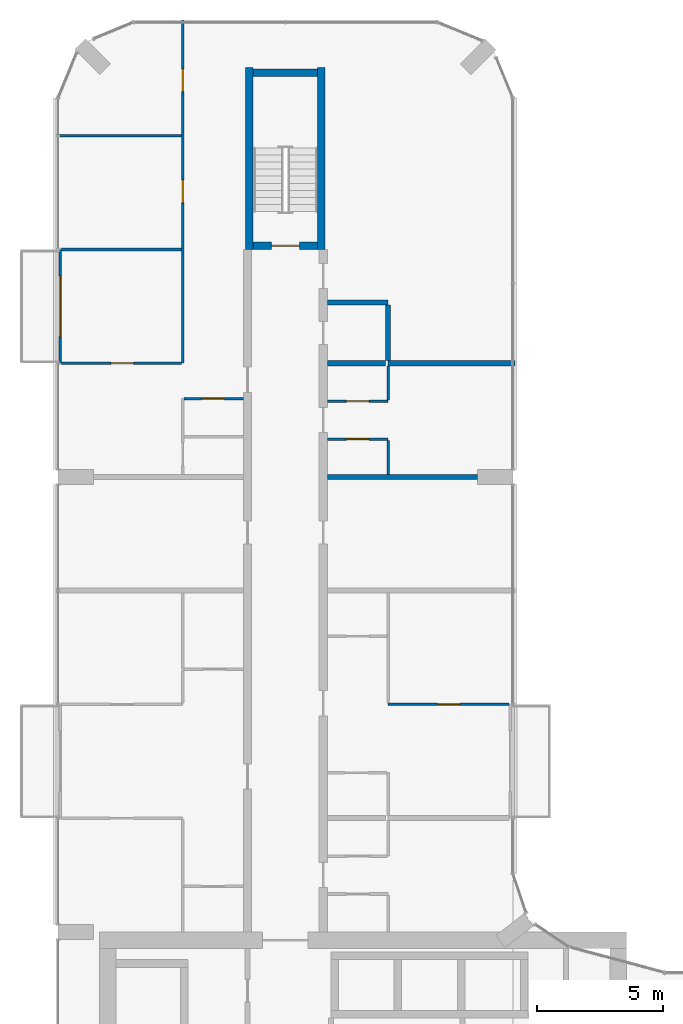
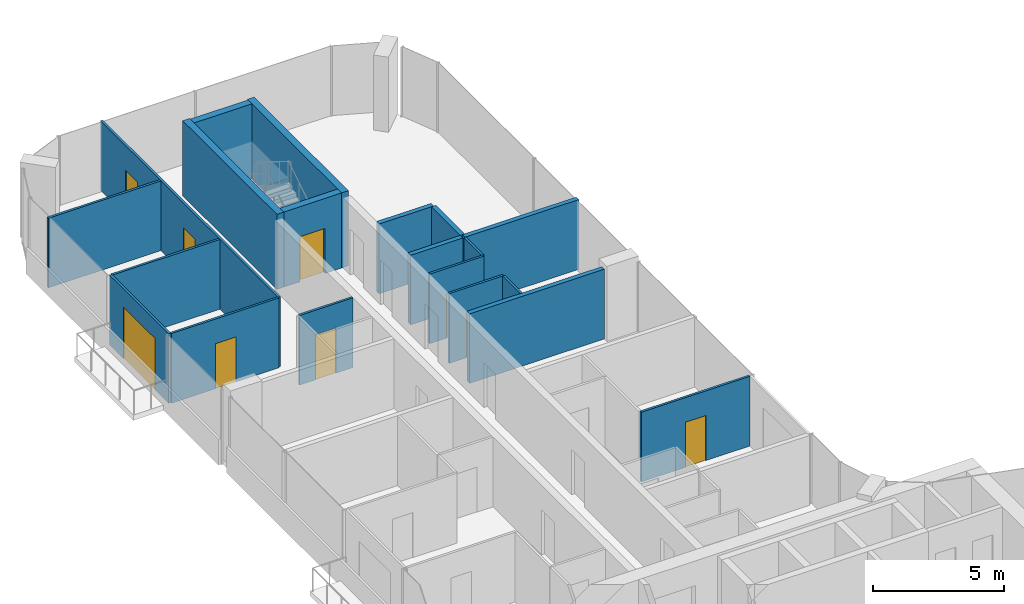
# One storey, part 16 of 22: 20 walls, 9 doors, 9 openings.
"""IFC4 building model written with IfcOpenShell, lengths in metres."""

from ifc_helpers import new_model, si_unit, direction, frame, frame_2d, origin, place, context, subcontext, project, spatial, rectangle, extrude, material, layer, layer_set, type_object, element, fill, save


model = new_model("IFC4")

# Units and contexts
model_context = context("Model", 3, precision=1e-05, world=origin(), true_north=direction((0.0, 1.0)))
body_context = subcontext(model_context, "Body", "Model", "MODEL_VIEW")
ifc_project = project(units=[si_unit("LENGTHUNIT", "METRE"), si_unit("AREAUNIT", "SQUARE_METRE"), si_unit("VOLUMEUNIT", "CUBIC_METRE"), si_unit("PLANEANGLEUNIT", "RADIAN"), si_unit("MASSUNIT", "GRAM", prefix="KILO")], contexts=[model_context])

# Site, building, storey
site_placement = place(None, origin())
site = spatial("IfcSite", under=ifc_project, at=site_placement, CompositionType="ELEMENT")
building_placement = place(site_placement, origin())
building = spatial("IfcBuilding", under=site, at=building_placement, Name="Plateau Cross Towers", CompositionType="ELEMENT")
storey_placement = place(building_placement, frame((0.0, 0.0, 113.300048828125)))
storey = spatial("IfcBuildingStorey", under=building, at=storey_placement, Name="L29", CompositionType="ELEMENT", Elevation=113.300048828125)

# Wall, opening, door
ifc_material_1 = material(Name="Aluminium framed glazing", Category="aluminium")
ifc_layer_1 = layer(ifc_material_1, 0.10009765625)
ifc_layer_set_1 = layer_set([ifc_layer_1], Name="Aluminium framed glazing")
wall_type_1 = type_object("IfcWallType", Name="Balcony screen wall 100", PredefinedType="STANDARD", material=ifc_layer_set_1)
wall_1_placement = place(storey_placement, frame((0.10009765625, 40.5, 0.0), z_axis=(0.0, 0.0, 1.0), x_axis=(0.0, 1.0, 0.0)))
wall_1 = element("IfcWall", 1, at=wall_1_placement, inside=storey, type_object=wall_type_1, Name="Balcony screen wall A-BAL-L29-02", PredefinedType="STANDARD", context=body_context, shape_type="SweptSolid", body=[
    extrude(rectangle(XDim=4.5, YDim=0.10009765625, at=frame_2d((2.25, 0.0))), origin(), (0.0, 0.0, 1.0), 3.25),
])
opening_1_placement = place(wall_1_placement, frame((1.050048828125, 0.0, 0.0)))
opening_1 = element("IfcOpeningElement", 2, at=opening_1_placement, cuts=wall_1, Name="Opening D-B24", PredefinedType="OPENING", context=body_context, shape_type="SweptSolid", body=[
    extrude(rectangle(XDim=2.39990234375, YDim=2.39990234375, at=frame_2d((1.199951171875, 1.199951171875))), frame((0.0, 0.06005859375, 0.0), z_axis=(0.0, -1.0, 0.0), x_axis=(1.0, 0.0, 0.0)), (0.0, 0.0, 1.0), 0.1201171875),
])
ifc_material_2 = material(Name="Aluminium frame, double glazing", Category="aluminium")
door_type_1 = type_object("IfcDoorType", Name="Balcony sliding door 2400", OperationType="NOTDEFINED", PredefinedType="DOOR", material=ifc_material_2)
door_1_placement = place(opening_1_placement, origin())
door_1 = element("IfcDoor", 3, at=door_1_placement, inside=storey, type_object=door_type_1, Name="Balcony door A-BAL-L29-02", OperationType="SINGLE_SWING_LEFT", OverallHeight=2.39990234375, OverallWidth=2.39990234375, PredefinedType="DOOR", context=body_context, shape_type="SweptSolid", body=[
    extrude(rectangle(XDim=2.39990234375, YDim=2.39990234375, at=frame_2d((1.199951171875, 1.199951171875))), frame((0.0, 0.02490234375, 0.0), z_axis=(0.0, -1.0, 0.0), x_axis=(1.0, 0.0, 0.0)), (0.0, 0.0, 1.0), 0.050048828125),
])
fill(opening_1, door_1)

ifc_material_3 = material(Name="Gypsum board on steel studs", Category="steel")
ifc_layer_2 = layer(ifc_material_3, 0.10009765625)
ifc_layer_set_2 = layer_set([ifc_layer_2], Name="Gypsum board on steel studs")
wall_type_2 = type_object("IfcWallType", Name="Flat partition 100", PredefinedType="PARTITIONING", material=ifc_layer_set_2)
wall_2_placement = place(storey_placement, frame((13.0625, 27.0, 0.0), z_axis=(0.0, 0.0, 1.0), x_axis=(1.0, 0.0, 0.0)))
wall_2 = element("IfcWall", 4, at=wall_2_placement, inside=storey, type_object=wall_type_2, Name="Partition wall", PredefinedType="PARTITIONING", context=body_context, shape_type="SweptSolid", body=[
    extrude(rectangle(XDim=4.78759765625, YDim=0.10009765625, at=frame_2d((2.393798828125, 0.0))), origin(), (0.0, 0.0, 1.0), 3.25),
])
opening_2_placement = place(wall_2_placement, frame((1.949951171875, 0.0, 0.0)))
opening_2 = element("IfcOpeningElement", 5, at=opening_2_placement, cuts=wall_2, Name="Opening 29-41", PredefinedType="OPENING", context=body_context, shape_type="SweptSolid", body=[
    extrude(rectangle(XDim=0.89990234375, YDim=2.10009765625, at=frame_2d((0.449951171875, 1.050048828125))), frame((0.0, 0.06005859375, 0.0), z_axis=(0.0, -1.0, 0.0), x_axis=(1.0, 0.0, 0.0)), (0.0, 0.0, 1.0), 0.1201171875),
])
ifc_material_4 = material(Name="Timber leaf", Category="wood")
door_type_2 = type_object("IfcDoorType", Name="Flat room door 900", OperationType="NOTDEFINED", PredefinedType="DOOR", material=ifc_material_4)
door_2_placement = place(opening_2_placement, origin())
door_2 = element("IfcDoor", 6, at=door_2_placement, inside=storey, type_object=door_type_2, Name="Door 29-41", OperationType="SINGLE_SWING_RIGHT", OverallHeight=2.10009765625, OverallWidth=0.89990234375, PredefinedType="DOOR", context=body_context, shape_type="SweptSolid", body=[
    extrude(rectangle(XDim=0.89990234375, YDim=2.10009765625, at=frame_2d((0.449951171875, 1.050048828125))), frame((0.0, 0.02490234375, 0.0), z_axis=(0.0, -1.0, 0.0), x_axis=(1.0, 0.0, 0.0)), (0.0, 0.0, 1.0), 0.050048828125),
])
fill(opening_2, door_2)

wall_3_placement = place(storey_placement, frame((13.0625, 37.5, 0.0), z_axis=(0.0, 0.0, 1.0), x_axis=(-1.0, 0.0, 0.0)))
wall_3 = element("IfcWall", 7, at=wall_3_placement, inside=storey, type_object=wall_type_2, Name="Partition wall", PredefinedType="PARTITIONING", context=body_context, shape_type="SweptSolid", body=[
    extrude(rectangle(XDim=2.39990234375, YDim=0.10009765625, at=frame_2d((1.199951171875, 0.0))), origin(), (0.0, 0.0, 1.0), 3.25),
])
opening_3_placement = place(wall_3_placement, frame((0.75, 0.0, 0.0)))
opening_3 = element("IfcOpeningElement", 8, at=opening_3_placement, cuts=wall_3, Name="Opening 29-42", PredefinedType="OPENING", context=body_context, shape_type="SweptSolid", body=[
    extrude(rectangle(XDim=0.89990234375, YDim=2.10009765625, at=frame_2d((0.449951171875, 1.050048828125))), frame((0.0, 0.06005859375, 0.0), z_axis=(0.0, -1.0, 0.0), x_axis=(1.0, 0.0, 0.0)), (0.0, 0.0, 1.0), 0.1201171875),
])
door_3_placement = place(opening_3_placement, origin())
door_3 = element("IfcDoor", 9, at=door_3_placement, inside=storey, type_object=door_type_2, Name="Door 29-42", OperationType="SINGLE_SWING_LEFT", OverallHeight=2.10009765625, OverallWidth=0.89990234375, PredefinedType="DOOR", context=body_context, shape_type="SweptSolid", body=[
    extrude(rectangle(XDim=0.89990234375, YDim=2.10009765625, at=frame_2d((0.449951171875, 1.050048828125))), frame((0.0, 0.02490234375, 0.0), z_axis=(0.0, -1.0, 0.0), x_axis=(1.0, 0.0, 0.0)), (0.0, 0.0, 1.0), 0.050048828125),
])
fill(opening_3, door_3)

wall_4_placement = place(storey_placement, frame((10.66259765625, 39.0, 0.0), z_axis=(0.0, 0.0, 1.0), x_axis=(1.0, 0.0, 0.0)))
wall_4 = element("IfcWall", 10, at=wall_4_placement, inside=storey, type_object=wall_type_2, Name="Partition wall", PredefinedType="PARTITIONING", context=body_context, shape_type="SweptSolid", body=[
    extrude(rectangle(XDim=2.39990234375, YDim=0.10009765625, at=frame_2d((1.199951171875, 0.0))), origin(), (0.0, 0.0, 1.0), 3.25),
])
opening_4_placement = place(wall_4_placement, frame((0.75, 0.0, 0.0)))
opening_4 = element("IfcOpeningElement", 11, at=opening_4_placement, cuts=wall_4, Name="Opening 29-43", PredefinedType="OPENING", context=body_context, shape_type="SweptSolid", body=[
    extrude(rectangle(XDim=0.89990234375, YDim=2.10009765625, at=frame_2d((0.449951171875, 1.050048828125))), frame((0.0, 0.06005859375, 0.0), z_axis=(0.0, -1.0, 0.0), x_axis=(1.0, 0.0, 0.0)), (0.0, 0.0, 1.0), 0.1201171875),
])
door_4_placement = place(opening_4_placement, origin())
door_4 = element("IfcDoor", 12, at=door_4_placement, inside=storey, type_object=door_type_2, Name="Door 29-43", OperationType="SINGLE_SWING_LEFT", OverallHeight=2.10009765625, OverallWidth=0.89990234375, PredefinedType="DOOR", context=body_context, shape_type="SweptSolid", body=[
    extrude(rectangle(XDim=0.89990234375, YDim=2.10009765625, at=frame_2d((0.449951171875, 1.050048828125))), frame((0.0, 0.02490234375, 0.0), z_axis=(0.0, -1.0, 0.0), x_axis=(1.0, 0.0, 0.0)), (0.0, 0.0, 1.0), 0.050048828125),
])
fill(opening_4, door_4)

wall_5_placement = place(storey_placement, frame((7.33740234375, 39.10009765625, 0.0), z_axis=(0.0, 0.0, 1.0), x_axis=(-1.0, 0.0, 0.0)))
wall_5 = element("IfcWall", 13, at=wall_5_placement, inside=storey, type_object=wall_type_2, Name="Partition wall", PredefinedType="PARTITIONING", context=body_context, shape_type="SweptSolid", body=[
    extrude(rectangle(XDim=2.349853515625, YDim=0.10009765625, at=frame_2d((1.1748046875, 0.0))), origin(), (0.0, 0.0, 1.0), 3.25),
])
opening_5_placement = place(wall_5_placement, frame((0.75, 0.0, 0.0)))
opening_5 = element("IfcOpeningElement", 14, at=opening_5_placement, cuts=wall_5, Name="Opening 29-33", PredefinedType="OPENING", context=body_context, shape_type="SweptSolid", body=[
    extrude(rectangle(XDim=0.89990234375, YDim=2.10009765625, at=frame_2d((0.449951171875, 1.050048828125))), frame((0.0, 0.06005859375, 0.0), z_axis=(0.0, -1.0, 0.0), x_axis=(1.0, 0.0, 0.0)), (0.0, 0.0, 1.0), 0.1201171875),
])
door_5_placement = place(opening_5_placement, origin())
door_5 = element("IfcDoor", 15, at=door_5_placement, inside=storey, type_object=door_type_2, Name="Door 29-33", OperationType="SINGLE_SWING_RIGHT", OverallHeight=2.10009765625, OverallWidth=0.89990234375, PredefinedType="DOOR", context=body_context, shape_type="SweptSolid", body=[
    extrude(rectangle(XDim=0.89990234375, YDim=2.10009765625, at=frame_2d((0.449951171875, 1.050048828125))), frame((0.0, 0.02490234375, 0.0), z_axis=(0.0, -1.0, 0.0), x_axis=(1.0, 0.0, 0.0)), (0.0, 0.0, 1.0), 0.050048828125),
])
fill(opening_5, door_5)

wall_6_placement = place(storey_placement, frame((0.14990234375, 40.5, 0.0), z_axis=(0.0, 0.0, 1.0), x_axis=(1.0, 0.0, 0.0)))
wall_6 = element("IfcWall", 16, at=wall_6_placement, inside=storey, type_object=wall_type_2, Name="Partition wall", PredefinedType="PARTITIONING", context=body_context, shape_type="SweptSolid", body=[
    extrude(rectangle(XDim=4.737548828125, YDim=0.10009765625, at=frame_2d((2.36865234375, 0.0))), origin(), (0.0, 0.0, 1.0), 3.25),
])
opening_6_placement = place(wall_6_placement, frame((1.949951171875, 0.0, 0.0)))
opening_6 = element("IfcOpeningElement", 17, at=opening_6_placement, cuts=wall_6, Name="Opening 29-34", PredefinedType="OPENING", context=body_context, shape_type="SweptSolid", body=[
    extrude(rectangle(XDim=0.89990234375, YDim=2.10009765625, at=frame_2d((0.449951171875, 1.050048828125))), frame((0.0, 0.06005859375, 0.0), z_axis=(0.0, -1.0, 0.0), x_axis=(1.0, 0.0, 0.0)), (0.0, 0.0, 1.0), 0.1201171875),
])
door_6_placement = place(opening_6_placement, origin())
door_6 = element("IfcDoor", 18, at=door_6_placement, inside=storey, type_object=door_type_2, Name="Door 29-34", OperationType="SINGLE_SWING_RIGHT", OverallHeight=2.10009765625, OverallWidth=0.89990234375, PredefinedType="DOOR", context=body_context, shape_type="SweptSolid", body=[
    extrude(rectangle(XDim=0.89990234375, YDim=2.10009765625, at=frame_2d((0.449951171875, 1.050048828125))), frame((0.0, 0.02490234375, 0.0), z_axis=(0.0, -1.0, 0.0), x_axis=(1.0, 0.0, 0.0)), (0.0, 0.0, 1.0), 0.050048828125),
])
fill(opening_6, door_6)

# Walls
wall_7_placement = place(storey_placement, frame((4.887451171875, 45.0, 0.0), z_axis=(0.0, 0.0, 1.0), x_axis=(-1.0, 0.0, 0.0)))
element("IfcWall", 19, at=wall_7_placement, inside=storey, type_object=wall_type_2, Name="Partition wall", PredefinedType="PARTITIONING", context=body_context, shape_type="SweptSolid", body=[
    extrude(rectangle(XDim=4.737548828125, YDim=0.10009765625, at=frame_2d((2.36865234375, 0.0))), origin(), (0.0, 0.0, 1.0), 3.25),
])
wall_8_placement = place(storey_placement, frame((4.887451171875, 49.5, 0.0), z_axis=(0.0, 0.0, 1.0), x_axis=(-1.0, 0.0, 0.0)))
element("IfcWall", 20, at=wall_8_placement, inside=storey, type_object=wall_type_2, Name="Partition wall", PredefinedType="PARTITIONING", context=body_context, shape_type="SweptSolid", body=[
    extrude(rectangle(XDim=4.967529296875, YDim=0.10009765625, at=frame_2d((2.48388671875, 0.0))), origin(), (0.0, 0.0, 1.0), 3.25),
])

# Wall, openings, doors
wall_9_placement = place(storey_placement, frame((4.9375, 40.5, 0.0), z_axis=(0.0, 0.0, 1.0), x_axis=(0.0, 1.0, 0.0)))
wall_9 = element("IfcWall", 21, at=wall_9_placement, inside=storey, type_object=wall_type_2, Name="Partition wall", PredefinedType="PARTITIONING", context=body_context, shape_type="SweptSolid", body=[
    extrude(rectangle(XDim=13.580078125, YDim=0.10009765625, at=frame_2d((6.7900390625, 0.0))), origin(), (0.0, 0.0, 1.0), 3.25),
])
opening_7_placement = place(wall_9_placement, frame((6.35009765625, 0.0, 0.0)))
opening_7 = element("IfcOpeningElement", 22, at=opening_7_placement, cuts=wall_9, Name="Opening 29-35", PredefinedType="OPENING", context=body_context, shape_type="SweptSolid", body=[
    extrude(rectangle(XDim=0.89990234375, YDim=2.10009765625, at=frame_2d((0.449951171875, 1.050048828125))), frame((0.0, 0.06005859375, 0.0), z_axis=(0.0, -1.0, 0.0), x_axis=(1.0, 0.0, 0.0)), (0.0, 0.0, 1.0), 0.1201171875),
])
opening_8_placement = place(wall_9_placement, frame((10.75, 0.0, 0.0)))
opening_8 = element("IfcOpeningElement", 23, at=opening_8_placement, cuts=wall_9, Name="Opening 29-36", PredefinedType="OPENING", context=body_context, shape_type="SweptSolid", body=[
    extrude(rectangle(XDim=0.89990234375, YDim=2.10009765625, at=frame_2d((0.449951171875, 1.050048828125))), frame((0.0, 0.06005859375, 0.0), z_axis=(0.0, -1.0, 0.0), x_axis=(1.0, 0.0, 0.0)), (0.0, 0.0, 1.0), 0.1201171875),
])
door_7_placement = place(opening_7_placement, origin())
door_7 = element("IfcDoor", 24, at=door_7_placement, inside=storey, type_object=door_type_2, Name="Door 29-35", OperationType="SINGLE_SWING_RIGHT", OverallHeight=2.10009765625, OverallWidth=0.89990234375, PredefinedType="DOOR", context=body_context, shape_type="SweptSolid", body=[
    extrude(rectangle(XDim=0.89990234375, YDim=2.10009765625, at=frame_2d((0.449951171875, 1.050048828125))), frame((0.0, 0.02490234375, 0.0), z_axis=(0.0, -1.0, 0.0), x_axis=(1.0, 0.0, 0.0)), (0.0, 0.0, 1.0), 0.050048828125),
])
fill(opening_7, door_7)
door_8_placement = place(opening_8_placement, origin())
door_8 = element("IfcDoor", 25, at=door_8_placement, inside=storey, type_object=door_type_2, Name="Door 29-36", OperationType="SINGLE_SWING_RIGHT", OverallHeight=2.10009765625, OverallWidth=0.89990234375, PredefinedType="DOOR", context=body_context, shape_type="SweptSolid", body=[
    extrude(rectangle(XDim=0.89990234375, YDim=2.10009765625, at=frame_2d((0.449951171875, 1.050048828125))), frame((0.0, 0.02490234375, 0.0), z_axis=(0.0, -1.0, 0.0), x_axis=(1.0, 0.0, 0.0)), (0.0, 0.0, 1.0), 0.050048828125),
])
fill(opening_8, door_8)

# Walls
for number, where, z_axis, x_axis, name in (
    (26, (13.0625, 36.10009765625, 0.0), (0.0, 0.0, 1.0), (0.0, 1.0, 0.0), "Partition wall"),
    (27, (13.0625, 39.050048828125, 0.0), (0.0, 0.0, 1.0), (0.0, 1.0, 0.0), "Partition wall"),
):
    element("IfcWall", number, at=place(storey_placement, frame(where, z_axis=z_axis, x_axis=x_axis)), inside=storey, type_object=wall_type_2, Name=name, PredefinedType="PARTITIONING", context=body_context, shape_type="SweptSolid", body=[
        extrude(rectangle(XDim=1.349853515625, YDim=0.10009765625, at=frame_2d((0.6748046875, 0.0))), origin(), (0.0, 0.0, 1.0), 3.25),
    ])
ifc_material_5 = material(Name="Gypsum board on steel studs, two layers each side", Category="steel")
ifc_layer_3 = layer(ifc_material_5, 0.199951171875)
ifc_layer_set_3 = layer_set([ifc_layer_3], Name="Gypsum board on steel studs, two layers each side")
wall_type_3 = type_object("IfcWallType", Name="Flat party wall 200", PredefinedType="PARTITIONING", material=ifc_layer_set_3)
wall_10_placement = place(storey_placement, frame((16.60009765625, 36.0, 0.0), z_axis=(0.0, 0.0, 1.0), x_axis=(-1.0, 0.0, 0.0)))
element("IfcWall", 28, at=wall_10_placement, inside=storey, type_object=wall_type_3, Name="Party wall", PredefinedType="PARTITIONING", context=body_context, shape_type="SweptSolid", body=[
    extrude(rectangle(XDim=5.9375, YDim=0.199951171875, at=frame_2d((2.96875, 0.0))), origin(), (0.0, 0.0, 1.0), 3.25),
])
wall_11_placement = place(storey_placement, frame((12.96240234375, 40.5, 0.0), z_axis=(0.0, 0.0, 1.0), x_axis=(-1.0, 0.0, 0.0)))
element("IfcWall", 29, at=wall_11_placement, inside=storey, type_object=wall_type_3, Name="Party wall", PredefinedType="PARTITIONING", context=body_context, shape_type="SweptSolid", body=[
    extrude(rectangle(XDim=2.2998046875, YDim=0.199951171875, at=frame_2d((1.14990234375, 0.0))), origin(), (0.0, 0.0, 1.0), 3.25),
])
wall_12_placement = place(storey_placement, frame((13.0625, 40.5, 0.0), z_axis=(0.0, 0.0, 1.0), x_axis=(1.0, 0.0, 0.0)))
element("IfcWall", 30, at=wall_12_placement, inside=storey, type_object=wall_type_3, Name="Party wall", PredefinedType="PARTITIONING", context=body_context, shape_type="SweptSolid", body=[
    extrude(rectangle(XDim=5.017578125, YDim=0.199951171875, at=frame_2d((2.5087890625, 0.0))), origin(), (0.0, 0.0, 1.0), 3.25),
])
wall_13_placement = place(storey_placement, frame((13.0625, 42.89990234375, 0.0), z_axis=(0.0, 0.0, 1.0), x_axis=(-1.0, 0.0, 0.0)))
element("IfcWall", 31, at=wall_13_placement, inside=storey, type_object=wall_type_3, Name="Party wall", PredefinedType="PARTITIONING", context=body_context, shape_type="SweptSolid", body=[
    extrude(rectangle(XDim=2.39990234375, YDim=0.199951171875, at=frame_2d((1.199951171875, 0.0))), origin(), (0.0, 0.0, 1.0), 3.25),
])
wall_14_placement = place(storey_placement, frame((13.0625, 40.60009765625, 0.0), z_axis=(0.0, 0.0, 1.0), x_axis=(0.0, 1.0, 0.0)))
element("IfcWall", 32, at=wall_14_placement, inside=storey, type_object=wall_type_3, Name="Party wall", PredefinedType="PARTITIONING", context=body_context, shape_type="SweptSolid", body=[
    extrude(rectangle(XDim=2.199951171875, YDim=0.199951171875, at=frame_2d((1.10009765625, 0.0))), origin(), (0.0, 0.0, 1.0), 3.25),
])

# Wall, opening, door
ifc_material_6 = material(Name="Concrete C60/75", Category="concrete")
ifc_layer_4 = layer(ifc_material_6, 0.300048828125)
ifc_layer_set_4 = layer_set([ifc_layer_4], Name="Concrete C60/75")
wall_type_4 = type_object("IfcWallType", Name="Stair tower wall 300", PredefinedType="SHEAR", material=ifc_layer_set_4)
wall_15_placement = place(storey_placement, frame((7.72509765625, 45.14990234375, 0.0), z_axis=(0.0, 0.0, 1.0), x_axis=(1.0, 0.0, 0.0)))
wall_15 = element("IfcWall", 33, at=wall_15_placement, inside=storey, type_object=wall_type_4, Name="A-end-N-S@L29", PredefinedType="SHEAR", context=body_context, shape_type="SweptSolid", body=[
    extrude(rectangle(XDim=2.5498046875, YDim=0.300048828125, at=frame_2d((1.27490234375, 0.0))), origin(), (0.0, 0.0, 1.0), 3.5),
])
opening_9_placement = place(wall_15_placement, frame((0.72509765625, 0.0, 0.0)))
opening_9 = element("IfcOpeningElement", 34, at=opening_9_placement, cuts=wall_15, Name="Opening SD", PredefinedType="OPENING", context=body_context, shape_type="SweptSolid", body=[
    extrude(rectangle(XDim=1.10009765625, YDim=2.10009765625, at=frame_2d((0.550048828125, 1.050048828125))), frame((0.0, 0.159912109375, 0.0), z_axis=(0.0, -1.0, 0.0), x_axis=(1.0, 0.0, 0.0)), (0.0, 0.0, 1.0), 0.320068359375),
])
ifc_material_7 = material(Name="Steel, fire-resisting leaf", Category="steel")
door_type_3 = type_object("IfcDoorType", Name="Stair door 1100", OperationType="NOTDEFINED", PredefinedType="DOOR", material=ifc_material_7)
door_9_placement = place(opening_9_placement, origin())
door_9 = element("IfcDoor", 35, at=door_9_placement, inside=storey, type_object=door_type_3, Name="Stair door SD", OperationType="SINGLE_SWING_LEFT", OverallHeight=2.10009765625, OverallWidth=1.10009765625, PredefinedType="DOOR", context=body_context, shape_type="SweptSolid", body=[
    extrude(rectangle(XDim=1.10009765625, YDim=2.10009765625, at=frame_2d((0.550048828125, 1.050048828125))), frame((0.0, 0.02490234375, 0.0), z_axis=(0.0, -1.0, 0.0), x_axis=(1.0, 0.0, 0.0)), (0.0, 0.0, 1.0), 0.050048828125),
])
fill(opening_9, door_9)

# Walls
wall_16_placement = place(storey_placement, frame((7.72509765625, 52.0, 0.0), z_axis=(0.0, 0.0, 1.0), x_axis=(1.0, 0.0, 0.0)))
element("IfcWall", 36, at=wall_16_placement, inside=storey, type_object=wall_type_4, Name="A-end-N-N@L29", PredefinedType="SHEAR", context=body_context, shape_type="SweptSolid", body=[
    extrude(rectangle(XDim=2.5498046875, YDim=0.300048828125, at=frame_2d((1.27490234375, 0.0))), origin(), (0.0, 0.0, 1.0), 3.5),
])
for number, where, z_axis, x_axis, name in (
    (37, (7.574951171875, 45.0, 0.0), (0.0, 0.0, 1.0), (0.0, 1.0, 0.0), "A-end-N-W@L29"),
    (38, (10.425048828125, 45.0, 0.0), (0.0, 0.0, 1.0), (0.0, 1.0, 0.0), "A-end-N-E@L29"),
):
    element("IfcWall", number, at=place(storey_placement, frame(where, z_axis=z_axis, x_axis=x_axis)), inside=storey, type_object=wall_type_4, Name=name, PredefinedType="SHEAR", context=body_context, shape_type="SweptSolid", body=[
        extrude(rectangle(XDim=7.199951171875, YDim=0.300048828125, at=frame_2d((3.60009765625, 0.0))), origin(), (0.0, 0.0, 1.0), 3.5),
    ])

save(model, "model.ifc")
